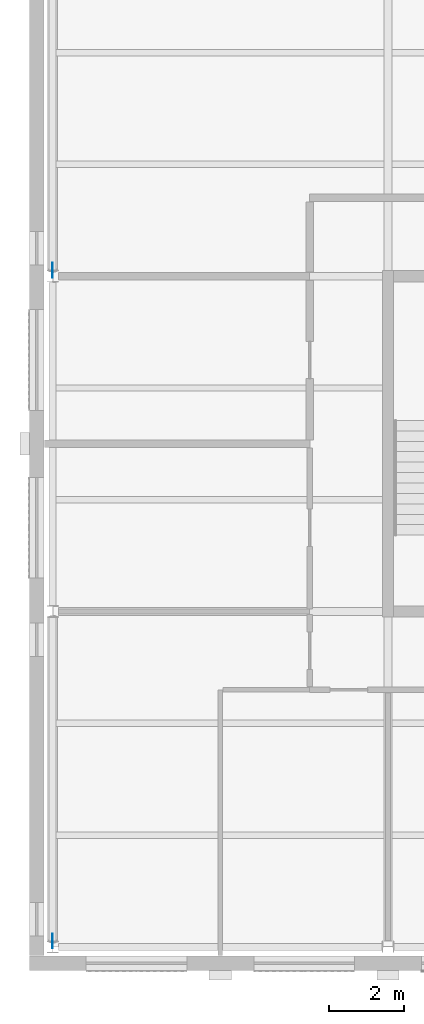
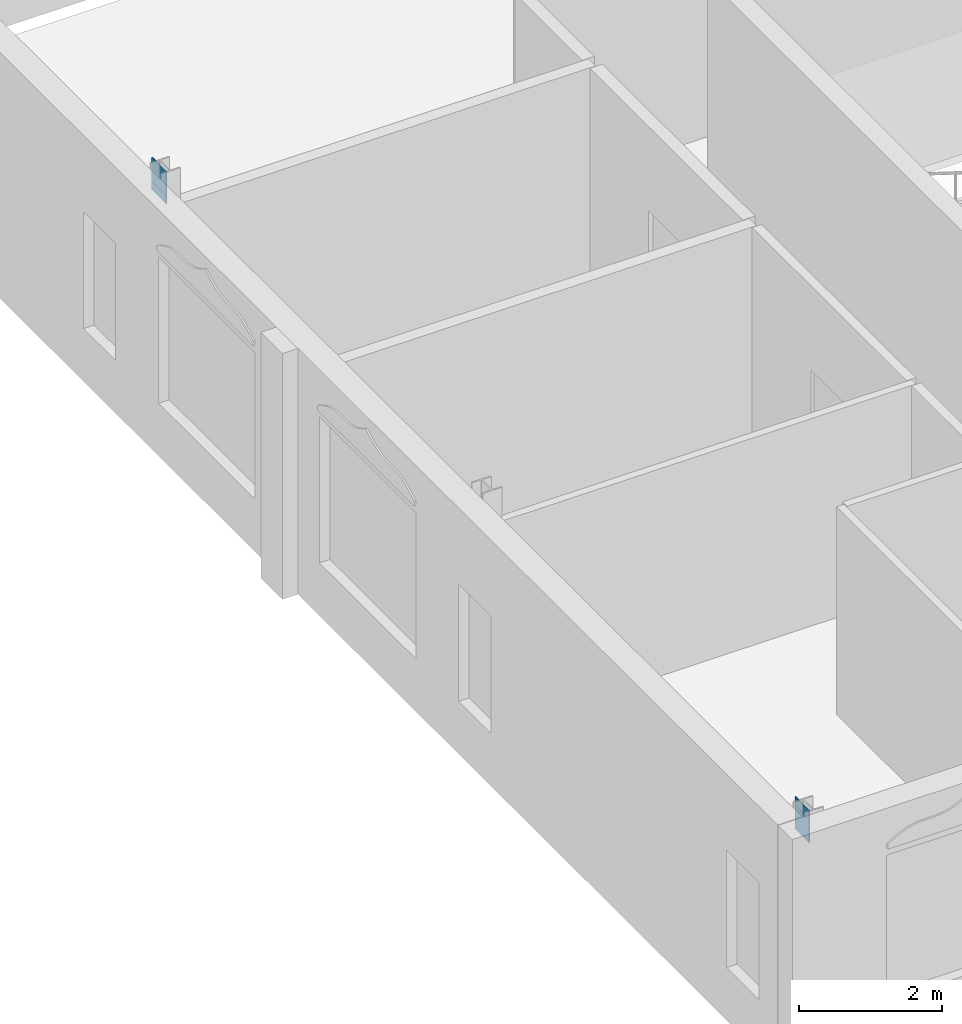
# One storey, part 6 of 9: 4 discrete accessories.
"""IFC4 building model written with IfcOpenShell, lengths in metres."""

from ifc_helpers import new_model, si_unit, direction, frame, origin, origin_2d, place, context, subcontext, project, spatial, rectangle, extrude, material, type_object, element, save


model = new_model("IFC4")

# Units and contexts
model_context = context("Model", 3, precision=1e-05, world=origin(), true_north=direction((0.0, 1.0)))
body_context = subcontext(model_context, "Body", "Model", "MODEL_VIEW")
ifc_project = project(units=[si_unit("LENGTHUNIT", "METRE"), si_unit("AREAUNIT", "SQUARE_METRE"), si_unit("VOLUMEUNIT", "CUBIC_METRE"), si_unit("PLANEANGLEUNIT", "RADIAN"), si_unit("MASSUNIT", "GRAM", prefix="KILO")], contexts=[model_context])

# Site, building, storey
site_placement = place(None, origin())
site = spatial("IfcSite", under=ifc_project, at=site_placement, CompositionType="ELEMENT")
building_placement = place(site_placement, origin())
building = spatial("IfcBuilding", under=site, at=building_placement, Name="Hortulan Conservatory and Botanical Research Centre", CompositionType="ELEMENT")
storey_placement = place(building_placement, frame((0.0, 0.0, 44.39990234375)))
storey = spatial("IfcBuildingStorey", under=building, at=storey_placement, Name="L10", CompositionType="ELEMENT", Elevation=44.39990234375)

# Discrete accessories
ifc_material = material(Name="Steel Grade 300 plate (AS/NZS 3678, 280 MPa minimum yield)", Category="steel")
discrete_accessory_type = type_object("IfcDiscreteAccessoryType", Name="End Plate 400x16", PredefinedType="BRACKET", material=ifc_material)
for number, where, z_axis, x_axis, name in (
    (1, (0.0, 0.160400390625, 3.566650390625), (0.0, 0.0, 1.0), (0.0, -1.0, 0.0), "Brace end plate"),
    (2, (0.0, 0.160400390625, 3.716552734375), (0.0, 0.0, 1.0), (0.0, -1.0, 0.0), "Brace end plate"),
    (3, (0.0, 18.160400390625, 3.566650390625), (0.0, 0.0, 1.0), (0.0, -1.0, 0.0), "Brace end plate"),
    (4, (0.0, 18.160400390625, 3.716552734375), (0.0, 0.0, 1.0), (0.0, -1.0, 0.0), "Brace end plate"),
):
    element("IfcDiscreteAccessory", number, at=place(storey_placement, frame(where, z_axis=z_axis, x_axis=x_axis)), inside=storey, type_object=discrete_accessory_type, Name=name, PredefinedType="BRACKET", context=body_context, shape_type="SweptSolid", body=[
        extrude(rectangle(XDim=0.39990234375, YDim=0.01611328125, at=origin_2d()), origin(), (0.0, 0.0, 1.0), 0.39990234375),
    ])

save(model, "model.ifc")
